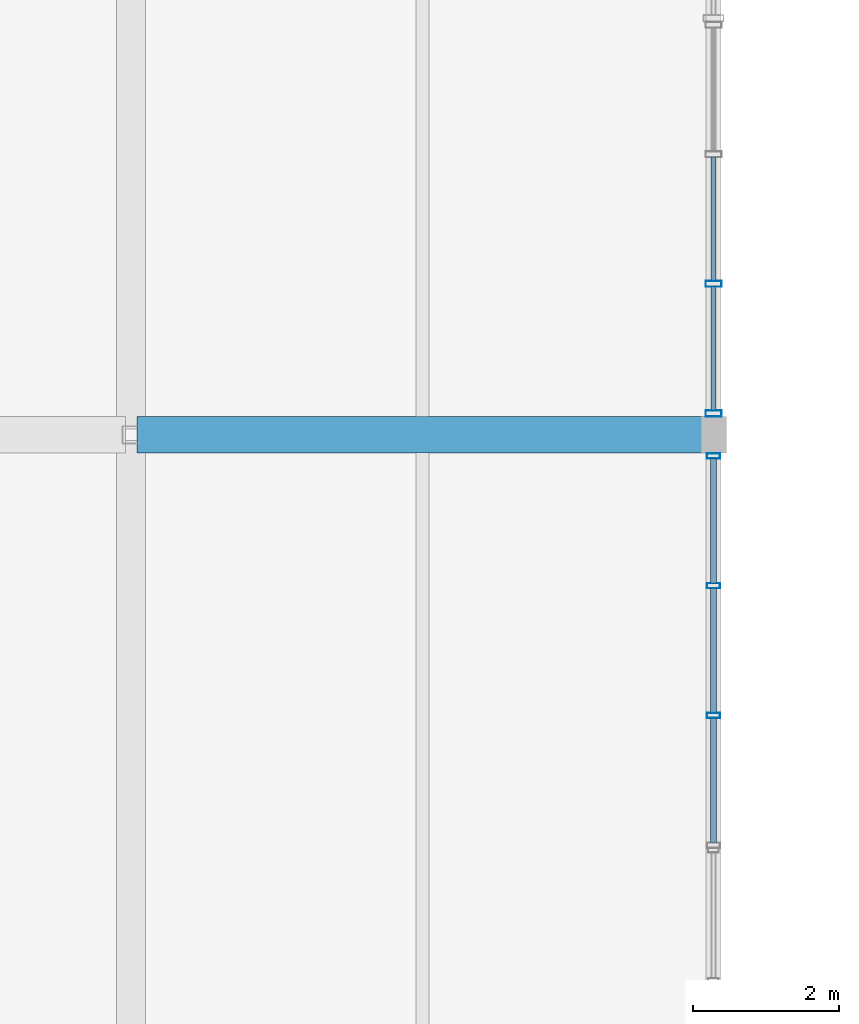
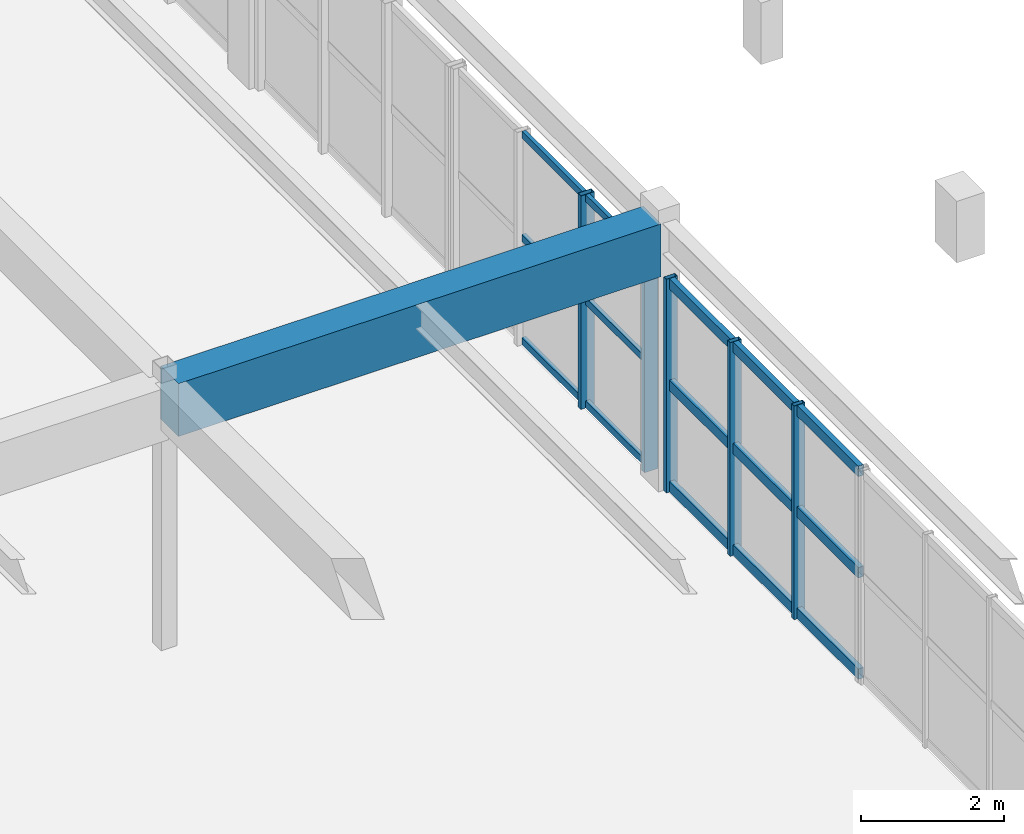
# One storey, part 45 of 106: 20 members, 1 beam, 2 elements without a shape of their own.
"""IFC4 building model written with IfcOpenShell, lengths in metres."""

import ifcopenshell
import ifcopenshell.guid

model = None  # the IFC model being written
_history = None  # IfcOwnerHistory: only IFC2X3 demands one
_inside = {}  # id of a spatial element -> (the spatial element, [elements in it])
_under = {}  # id of a project, library or spatial element -> (it, [spatial elements below it])
_declared = {}  # id of a project -> (the project, [libraries it declares])
_typed = {}  # id of a type object -> (the type object, [elements of that type])
_made_of = {}  # id of a material, layer set ... -> (it, [elements and type objects made of it])


def new_model(schema):
    """Start an empty IFC model of exactly this schema.

    Asked for "IFC4X3", IfcOpenShell would pick the latest addendum, in which some entities
    have other attributes; the version numbers below select the first issue.
    IFC2X3 requires an IfcOwnerHistory on every rooted entity: one is made here for all.
    """
    global model, _history
    if schema == "IFC4X3":
        model = ifcopenshell.file(schema_version=(4, 3, 0, 0))
    else:
        model = ifcopenshell.file(schema=schema)
    _inside.clear()
    _under.clear()
    _declared.clear()
    _typed.clear()
    _made_of.clear()
    _history = None
    if model.schema == "IFC2X3":
        org = make("IfcOrganization", Name="unknown")
        user = make(
            "IfcPersonAndOrganization",
            ThePerson=make("IfcPerson", FamilyName="unknown"),
            TheOrganization=org,
        )
        app = make(
            "IfcApplication",
            ApplicationDeveloper=org,
            Version="unknown",
            ApplicationFullName="unknown",
            ApplicationIdentifier="unknown",
        )
        _history = make(
            "IfcOwnerHistory",
            OwningUser=user,
            OwningApplication=app,
            ChangeAction="ADDED",
            CreationDate=0,
        )
    return model


def make(cls, **values):
    """One entity of the class cls with the attributes given. An attribute that is None is left unset."""
    return model.create_entity(
        cls, **{name: value for name, value in values.items() if value is not None}
    )


def rooted(cls, **values):
    """An entity with a GlobalId (a new one), such as an element, a storey or a relation."""
    return make(cls, GlobalId=ifcopenshell.guid.new(), OwnerHistory=_history, **values)


def si_unit(unit_type, name, prefix=None):
    """IfcSIUnit, for example si_unit("LENGTHUNIT", "METRE", prefix="MILLI")."""
    return make("IfcSIUnit", UnitType=unit_type, Prefix=prefix, Name=name)


def assignment(units):
    """IfcUnitAssignment: the units of a project."""
    return None if units is None else make("IfcUnitAssignment", Units=units)


def point(xyz):
    """IfcCartesianPoint."""
    return None if xyz is None else make("IfcCartesianPoint", Coordinates=xyz)


def direction(xyz):
    """IfcDirection."""
    return None if xyz is None else make("IfcDirection", DirectionRatios=xyz)


def frame(location, z_axis=None, x_axis=None):
    """IfcAxis2Placement3D, a coordinate frame: its origin and axes. An axis left out is left unset."""
    return make(
        "IfcAxis2Placement3D",
        Location=point(location),
        Axis=direction(z_axis),
        RefDirection=direction(x_axis),
    )


def frame_2d(location, x_axis=None):
    """IfcAxis2Placement2D, a coordinate frame in the plane: its origin and x axis."""
    return make(
        "IfcAxis2Placement2D", Location=point(location), RefDirection=direction(x_axis)
    )


def origin():
    """The frame at (0, 0, 0) with its axes left unset."""
    return frame((0.0, 0.0, 0.0))


def origin_2d():
    """The frame at (0, 0) in the plane with its x axis left unset."""
    return frame_2d((0.0, 0.0))


def place(relative_to, where):
    """IfcLocalPlacement: puts the frame where relative to a parent placement (None: the world)."""
    return make(
        "IfcLocalPlacement", PlacementRelTo=relative_to, RelativePlacement=where
    )


def context(
    kind, dimensions, precision=None, world=None, true_north=None, identifier=None
):
    """IfcGeometricRepresentationContext, for example the 3D "Model" context."""
    return make(
        "IfcGeometricRepresentationContext",
        ContextIdentifier=identifier,
        ContextType=kind,
        CoordinateSpaceDimension=dimensions,
        Precision=precision,
        WorldCoordinateSystem=world,
        TrueNorth=true_north,
    )


def subcontext(parent, identifier, kind, view, scale=None):
    """IfcGeometricRepresentationSubContext, for example "Body" below "Model"."""
    return make(
        "IfcGeometricRepresentationSubContext",
        ContextIdentifier=identifier,
        ContextType=kind,
        ParentContext=parent,
        TargetScale=scale,
        TargetView=view,
    )


def project(units=None, contexts=None):
    """IfcProject with its units and contexts."""
    return rooted(
        "IfcProject",
        Name="project",
        RepresentationContexts=contexts,
        UnitsInContext=assignment(units),
    )


def spatial(cls, under=None, at=None, **own):
    """A site, building, storey or space (cls), placed at a placement, below another one or the project."""
    s = rooted(cls, ObjectPlacement=at, **own)
    if under is not None:
        _under.setdefault(under.id(), (under, []))[1].append(s)
    return s


def profile(cls, at=None, kind="AREA", **sizes):
    """A parametric profile (cls). Its sizes go by their IFC names, for example OverallWidth=200.0."""
    return make(cls, ProfileType=kind, Position=at, **sizes)


def rectangle(**sizes):
    """IfcRectangleProfileDef."""
    return profile("IfcRectangleProfileDef", **sizes)


def hollow_rectangle(**sizes):
    """IfcRectangleHollowProfileDef."""
    return profile("IfcRectangleHollowProfileDef", **sizes)


def extrude(swept, where, along, depth):
    """IfcExtrudedAreaSolid: the profile swept, set in the frame where, extruded along a direction by depth."""
    return make(
        "IfcExtrudedAreaSolid",
        SweptArea=swept,
        Position=where,
        ExtrudedDirection=direction(along),
        Depth=depth,
    )


def shape(context_of_items, identifier, shape_type, items):
    """IfcShapeRepresentation: the items that make up one representation, for example the "Body"."""
    return make(
        "IfcShapeRepresentation",
        ContextOfItems=context_of_items,
        RepresentationIdentifier=identifier,
        RepresentationType=shape_type,
        Items=items,
    )


def material(Name=None, Category=None):
    """IfcMaterial."""
    return make("IfcMaterial", Name=Name, Category=Category)


def layer(
    of_material, thickness, ventilated=None, Name=None, Category=None, Priority=None
):
    """IfcMaterialLayer: one layer of a wall or slab, of a material (None: an air gap)."""
    return make(
        "IfcMaterialLayer",
        Material=of_material,
        LayerThickness=thickness,
        IsVentilated=ventilated,
        Name=Name,
        Category=Category,
        Priority=Priority,
    )


def layer_set(layers, Name=None):
    """IfcMaterialLayerSet."""
    return make("IfcMaterialLayerSet", MaterialLayers=layers, LayerSetName=Name)


def material_profile(
    of_material, cross_section, Name=None, Category=None, Priority=None
):
    """IfcMaterialProfile: a cross section and its material."""
    return make(
        "IfcMaterialProfile",
        Name=Name,
        Material=of_material,
        Profile=cross_section,
        Priority=Priority,
        Category=Category,
    )


def profile_set(profiles, Name=None, composite=None):
    """IfcMaterialProfileSet."""
    return make(
        "IfcMaterialProfileSet",
        Name=Name,
        MaterialProfiles=profiles,
        CompositeProfile=composite,
    )


def made_of(thing, what):
    """Note that an element or type object is made of a material, layer set ...; save() writes the relation."""
    if what is not None:
        _made_of.setdefault(what.id(), (what, []))[1].append(thing)
    return thing


def type_object(cls, material=None, **own):
    """A type object (cls), such as IfcWallType, which elements share."""
    return made_of(rooted(cls, **own), material)


def element(
    cls,
    number,
    at=None,
    inside=None,
    cuts=None,
    type_object=None,
    material=None,
    context=None,
    identifier="Body",
    shape_type=None,
    held_by="IfcProductDefinitionShape",
    body=None,
    shapes=None,
    **own,
):
    """One element of the class cls, such as IfcWall. Its Tag is "e" and its number.

    at: its placement. inside: the storey or other place that contains it. cuts: it is an
    opening in that element (IfcRelVoidsElement). A single representation is given by context,
    identifier, shape_type and body (its items); several are given by shapes. held_by: the class
    of the entity that holds the representations. save() writes the other relations.
    """
    e = rooted(cls, Tag="e%d" % number, ObjectPlacement=at, **own)
    if body is not None:
        shapes = [shape(context, identifier, shape_type, body)]
    if shapes is not None:
        e.Representation = make(held_by, Representations=shapes)
    if inside is not None:
        _inside.setdefault(inside.id(), (inside, []))[1].append(e)
    if cuts is not None:
        rooted(
            "IfcRelVoidsElement", RelatingBuildingElement=cuts, RelatedOpeningElement=e
        )
    if type_object is not None:
        _typed.setdefault(type_object.id(), (type_object, []))[1].append(e)
    return made_of(e, material)


def aggregate(whole, parts):
    """IfcRelAggregates: a whole, such as a stair, and the parts it consists of."""
    return rooted("IfcRelAggregates", RelatingObject=whole, RelatedObjects=parts)


def save(model, path):
    """Write the relations noted so far, then the file.

    IfcRelAggregates (storeys below a building ...), IfcRelContainedInSpatialStructure (elements
    in a storey), IfcRelDefinesByType, IfcRelAssociatesMaterial and IfcRelDeclares: one each for
    every whole, place, type object, material and project.
    """
    for whole, parts in _under.values():
        aggregate(whole, parts)
    for where, things in _inside.values():
        rooted(
            "IfcRelContainedInSpatialStructure",
            RelatedElements=things,
            RelatingStructure=where,
        )
    for kind, things in _typed.values():
        rooted("IfcRelDefinesByType", RelatedObjects=things, RelatingType=kind)
    for what, things in _made_of.values():
        rooted("IfcRelAssociatesMaterial", RelatedObjects=things, RelatingMaterial=what)
    for by, libraries in _declared.values():
        rooted("IfcRelDeclares", RelatingContext=by, RelatedDefinitions=libraries)
    model.write(path)


model = new_model("IFC4")

# Units and contexts
model_context = context("Model", 3, precision=1e-05, world=origin(), true_north=direction((0.0, 1.0)))
body_context = subcontext(model_context, "Body", "Model", "MODEL_VIEW")
ifc_project = project(units=[si_unit("LENGTHUNIT", "METRE"), si_unit("AREAUNIT", "SQUARE_METRE"), si_unit("VOLUMEUNIT", "CUBIC_METRE"), si_unit("PLANEANGLEUNIT", "RADIAN"), si_unit("MASSUNIT", "GRAM", prefix="KILO"), si_unit("POWERUNIT", "WATT"), si_unit("THERMODYNAMICTEMPERATUREUNIT", "KELVIN")], contexts=[model_context])

# Site, building, storey
site_placement = place(None, origin())
site = spatial("IfcSite", under=ifc_project, at=site_placement, CompositionType="ELEMENT")
building_placement = place(site_placement, origin())
building = spatial("IfcBuilding", under=site, at=building_placement, Name="Kelmbourne Parkland Aquatics Centre", CompositionType="ELEMENT")
storey_placement = place(building_placement, frame((0.0, 0.0, 5.39990234375)))
storey = spatial("IfcBuildingStorey", under=building, at=storey_placement, Name="L01", CompositionType="ELEMENT", Elevation=5.39990234375)

# Beam
ifc_material_1 = material(Name="Concrete C40/50", Category="concrete")
ifc_material_profile_1 = material_profile(ifc_material_1, rectangle(XDim=0.5, YDim=0.89990234375, at=origin_2d()), Name="RC 500x900")
ifc_profile_set_1 = profile_set([ifc_material_profile_1], Name="Concrete C40/50")
beam_type = type_object("IfcBeamType", Name="BM-G03", PredefinedType="BEAM", material=ifc_profile_set_1)
beam_placement = place(storey_placement, frame((32.080078125, 69.199951171875, 4.110107421875), z_axis=(1.0, 0.0, 0.0), x_axis=(0.0, 1.0, 0.0)))
element("IfcBeam", 1, at=beam_placement, inside=storey, type_object=beam_type, Name="Primary girder E-F Grid 10 (L02)", PredefinedType="BEAM", context=body_context, shape_type="SweptSolid", body=[
    extrude(rectangle(XDim=0.5, YDim=0.89990234375, at=origin_2d()), origin(), (0.0, 0.0, 1.0), 7.7900390625),
])

# Curtain wall, members
ifc_material_2 = material(Name="Thermally broken anodised aluminium framing", Category="aluminium")
ifc_layer_1 = layer(ifc_material_2, 0.179931640625)
ifc_layer_set_1 = layer_set([ifc_layer_1], Name="Thermally broken anodised aluminium framing")
curtain_wall_type_1 = type_object("IfcCurtainWallType", Name="CW-20", PredefinedType="NOTDEFINED", material=ifc_layer_set_1)
curtain_wall_1_placement = place(storey_placement, origin())
curtain_wall_1 = element("IfcCurtainWall", 2, at=curtain_wall_1_placement, inside=storey, type_object=curtain_wall_type_1, Name="Facade curtain wall CW-L01-236", PredefinedType="NOTDEFINED")
ifc_material_profile_2 = material_profile(ifc_material_2, hollow_rectangle(XDim=0.074951171875, YDim=0.179931640625, WallThickness=0.00439453125, at=origin_2d()), Name="CW-M 75x180")
ifc_profile_set_2 = profile_set([ifc_material_profile_2], Name="Thermally broken anodised aluminium framing")
member_type_1 = type_object("IfcMemberType", Name="MB-MUL-2", PredefinedType="MULLION", material=ifc_profile_set_2)
member_1_placement = place(storey_placement, frame((40.0, 65.34521484375, 0.0), z_axis=(0.0, 0.0, 1.0), x_axis=(0.0, 1.0, 0.0)))
member_1 = element("IfcMember", 3, at=member_1_placement, type_object=member_type_1, Name="CW-L01-236 mullion 1", PredefinedType="MULLION", context=body_context, shape_type="SweptSolid", body=[
    extrude(hollow_rectangle(XDim=0.074951171875, YDim=0.179931640625, WallThickness=0.00439453125, at=origin_2d()), origin(), (0.0, 0.0, 1.0), 3.64501953125),
])
member_2_placement = place(storey_placement, frame((40.0, 67.127685546875, 0.0), z_axis=(0.0, 0.0, 1.0), x_axis=(0.0, 1.0, 0.0)))
member_2 = element("IfcMember", 4, at=member_2_placement, type_object=member_type_1, Name="CW-L01-236 mullion 2", PredefinedType="MULLION", context=body_context, shape_type="SweptSolid", body=[
    extrude(hollow_rectangle(XDim=0.074951171875, YDim=0.179931640625, WallThickness=0.00439453125, at=origin_2d()), origin(), (0.0, 0.0, 1.0), 3.64501953125),
])
member_3_placement = place(storey_placement, frame((40.0, 68.910400390625, 0.0), z_axis=(0.0, 0.0, 1.0), x_axis=(0.0, 1.0, 0.0)))
member_3 = element("IfcMember", 5, at=member_3_placement, type_object=member_type_1, Name="CW-L01-236 mullion 3", PredefinedType="MULLION", context=body_context, shape_type="SweptSolid", body=[
    extrude(hollow_rectangle(XDim=0.074951171875, YDim=0.179931640625, WallThickness=0.00439453125, at=origin_2d()), origin(), (0.0, 0.0, 1.0), 3.64501953125),
])

ifc_layer_2 = layer(ifc_material_2, 0.179931640625)
ifc_layer_set_2 = layer_set([ifc_layer_2], Name="Thermally broken anodised aluminium framing")
curtain_wall_type_2 = type_object("IfcCurtainWallType", Name="CW-21", PredefinedType="NOTDEFINED", material=ifc_layer_set_2)
curtain_wall_2_placement = place(storey_placement, origin())
curtain_wall_2 = element("IfcCurtainWall", 6, at=curtain_wall_2_placement, inside=storey, type_object=curtain_wall_type_2, Name="Facade curtain wall CW-L01-237", PredefinedType="NOTDEFINED")
ifc_material_profile_3 = material_profile(ifc_material_2, hollow_rectangle(XDim=0.0849609375, YDim=0.219970703125, WallThickness=0.0048828125, at=origin_2d()), Name="CW-M 85x220")
ifc_profile_set_3 = profile_set([ifc_material_profile_3], Name="Thermally broken anodised aluminium framing")
member_type_2 = type_object("IfcMemberType", Name="MB-MUL-3", PredefinedType="MULLION", material=ifc_profile_set_3)
member_4_placement = place(storey_placement, frame((40.0, 69.494384765625, 0.0), z_axis=(0.0, 0.0, 1.0), x_axis=(0.0, 1.0, 0.0)))
member_4 = element("IfcMember", 7, at=member_4_placement, type_object=member_type_2, Name="CW-L01-237 mullion 0", PredefinedType="MULLION", context=body_context, shape_type="SweptSolid", body=[
    extrude(hollow_rectangle(XDim=0.0849609375, YDim=0.219970703125, WallThickness=0.0048828125, at=origin_2d()), origin(), (0.0, 0.0, 1.0), 3.64501953125),
])
member_5_placement = place(storey_placement, frame((40.0, 71.273681640625, 0.0), z_axis=(0.0, 0.0, 1.0), x_axis=(0.0, 1.0, 0.0)))
member_5 = element("IfcMember", 8, at=member_5_placement, type_object=member_type_2, Name="CW-L01-237 mullion 1", PredefinedType="MULLION", context=body_context, shape_type="SweptSolid", body=[
    extrude(hollow_rectangle(XDim=0.0849609375, YDim=0.219970703125, WallThickness=0.0048828125, at=origin_2d()), origin(), (0.0, 0.0, 1.0), 3.64501953125),
])
ifc_material_profile_4 = material_profile(ifc_material_2, hollow_rectangle(XDim=0.06494140625, YDim=0.1201171875, WallThickness=0.00341796875, at=origin_2d()), Name="CW-T 65x120")
ifc_profile_set_4 = profile_set([ifc_material_profile_4], Name="Thermally broken anodised aluminium framing")
member_type_3 = type_object("IfcMemberType", Name="MB-TRN-1", PredefinedType="USERDEFINED", material=ifc_profile_set_4)
member_6_placement = place(storey_placement, frame((40.0, 69.532958984375, 0.06298828125), z_axis=(0.0, 1.0, 0.0), x_axis=(-1.0, 0.0, 0.0)))
member_6 = element("IfcMember", 9, at=member_6_placement, type_object=member_type_3, Name="CW-L01-237 transom 0-0", ObjectType="TRANSOM", PredefinedType="USERDEFINED", context=body_context, shape_type="SweptSolid", body=[
    extrude(hollow_rectangle(XDim=0.06494140625, YDim=0.1201171875, WallThickness=0.00341796875, at=origin_2d()), origin(), (0.0, 0.0, 1.0), 1.702392578125),
])
member_7_placement = place(storey_placement, frame((40.0, 71.312255859375, 0.06298828125), z_axis=(0.0, 1.0, 0.0), x_axis=(-1.0, 0.0, 0.0)))
member_7 = element("IfcMember", 10, at=member_7_placement, type_object=member_type_3, Name="CW-L01-237 transom 0-1", ObjectType="TRANSOM", PredefinedType="USERDEFINED", context=body_context, shape_type="SweptSolid", body=[
    extrude(hollow_rectangle(XDim=0.06494140625, YDim=0.1201171875, WallThickness=0.00341796875, at=origin_2d()), origin(), (0.0, 0.0, 1.0), 1.702392578125),
])
member_8_placement = place(storey_placement, frame((40.0, 69.532958984375, 1.822509765625), z_axis=(0.0, 1.0, 0.0), x_axis=(-1.0, 0.0, 0.0)))
member_8 = element("IfcMember", 11, at=member_8_placement, type_object=member_type_3, Name="CW-L01-237 transom 1-0", ObjectType="TRANSOM", PredefinedType="USERDEFINED", context=body_context, shape_type="SweptSolid", body=[
    extrude(hollow_rectangle(XDim=0.06494140625, YDim=0.1201171875, WallThickness=0.00341796875, at=origin_2d()), origin(), (0.0, 0.0, 1.0), 1.702392578125),
])
member_9_placement = place(storey_placement, frame((40.0, 71.312255859375, 1.822509765625), z_axis=(0.0, 1.0, 0.0), x_axis=(-1.0, 0.0, 0.0)))
member_9 = element("IfcMember", 12, at=member_9_placement, type_object=member_type_3, Name="CW-L01-237 transom 1-1", ObjectType="TRANSOM", PredefinedType="USERDEFINED", context=body_context, shape_type="SweptSolid", body=[
    extrude(hollow_rectangle(XDim=0.06494140625, YDim=0.1201171875, WallThickness=0.00341796875, at=origin_2d()), origin(), (0.0, 0.0, 1.0), 1.702392578125),
])
member_10_placement = place(storey_placement, frame((40.0, 69.532958984375, 3.58203125), z_axis=(0.0, 1.0, 0.0), x_axis=(-1.0, 0.0, 0.0)))
member_10 = element("IfcMember", 13, at=member_10_placement, type_object=member_type_3, Name="CW-L01-237 transom 2-0", ObjectType="TRANSOM", PredefinedType="USERDEFINED", context=body_context, shape_type="SweptSolid", body=[
    extrude(hollow_rectangle(XDim=0.06494140625, YDim=0.1201171875, WallThickness=0.00341796875, at=origin_2d()), origin(), (0.0, 0.0, 1.0), 1.702392578125),
])
member_11_placement = place(storey_placement, frame((40.0, 71.312255859375, 3.58203125), z_axis=(0.0, 1.0, 0.0), x_axis=(-1.0, 0.0, 0.0)))
member_11 = element("IfcMember", 14, at=member_11_placement, type_object=member_type_3, Name="CW-L01-237 transom 2-1", ObjectType="TRANSOM", PredefinedType="USERDEFINED", context=body_context, shape_type="SweptSolid", body=[
    extrude(hollow_rectangle(XDim=0.06494140625, YDim=0.1201171875, WallThickness=0.00341796875, at=origin_2d()), origin(), (0.0, 0.0, 1.0), 1.702392578125),
])
aggregate(curtain_wall_2, [member_4, member_5, member_6, member_7, member_8, member_9, member_10, member_11])

# Member
ifc_material_profile_5 = material_profile(ifc_material_2, hollow_rectangle(XDim=0.0849609375, YDim=0.179931640625, WallThickness=0.00439453125, at=origin_2d()), Name="CW-T 85x180")
ifc_profile_set_5 = profile_set([ifc_material_profile_5], Name="Thermally broken anodised aluminium framing")
member_type_4 = type_object("IfcMemberType", Name="MB-TRN-3", PredefinedType="USERDEFINED", material=ifc_profile_set_5)
member_12_placement = place(storey_placement, frame((40.0, 63.595947265625, 0.093017578125), z_axis=(0.0, 1.0, 0.0), x_axis=(-1.0, 0.0, 0.0)))
member_12 = element("IfcMember", 15, at=member_12_placement, type_object=member_type_4, Name="CW-L01-236 transom 0-0", ObjectType="TRANSOM", PredefinedType="USERDEFINED", context=body_context, shape_type="SweptSolid", body=[
    extrude(hollow_rectangle(XDim=0.0849609375, YDim=0.179931640625, WallThickness=0.00439453125, at=origin_2d()), origin(), (0.0, 0.0, 1.0), 1.7158203125),
])

member_13_placement = place(storey_placement, frame((40.0, 65.378662109375, 0.093017578125), z_axis=(0.0, 1.0, 0.0), x_axis=(-1.0, 0.0, 0.0)))
member_13 = element("IfcMember", 16, at=member_13_placement, type_object=member_type_4, Name="CW-L01-236 transom 0-1", ObjectType="TRANSOM", PredefinedType="USERDEFINED", context=body_context, shape_type="SweptSolid", body=[
    extrude(hollow_rectangle(XDim=0.0849609375, YDim=0.179931640625, WallThickness=0.00439453125, at=origin_2d()), origin(), (0.0, 0.0, 1.0), 1.715576171875),
])

member_14_placement = place(storey_placement, frame((40.0, 67.161376953125, 0.093017578125), z_axis=(0.0, 1.0, 0.0), x_axis=(-1.0, 0.0, 0.0)))
member_14 = element("IfcMember", 17, at=member_14_placement, type_object=member_type_4, Name="CW-L01-236 transom 0-2", ObjectType="TRANSOM", PredefinedType="USERDEFINED", context=body_context, shape_type="SweptSolid", body=[
    extrude(hollow_rectangle(XDim=0.0849609375, YDim=0.179931640625, WallThickness=0.00439453125, at=origin_2d()), origin(), (0.0, 0.0, 1.0), 1.715576171875),
])

member_15_placement = place(storey_placement, frame((40.0, 63.595947265625, 1.822509765625), z_axis=(0.0, 1.0, 0.0), x_axis=(-1.0, 0.0, 0.0)))
member_15 = element("IfcMember", 18, at=member_15_placement, type_object=member_type_4, Name="CW-L01-236 transom 1-0", ObjectType="TRANSOM", PredefinedType="USERDEFINED", context=body_context, shape_type="SweptSolid", body=[
    extrude(hollow_rectangle(XDim=0.0849609375, YDim=0.179931640625, WallThickness=0.00439453125, at=origin_2d()), origin(), (0.0, 0.0, 1.0), 1.7158203125),
])

member_16_placement = place(storey_placement, frame((40.0, 65.378662109375, 1.822509765625), z_axis=(0.0, 1.0, 0.0), x_axis=(-1.0, 0.0, 0.0)))
member_16 = element("IfcMember", 19, at=member_16_placement, type_object=member_type_4, Name="CW-L01-236 transom 1-1", ObjectType="TRANSOM", PredefinedType="USERDEFINED", context=body_context, shape_type="SweptSolid", body=[
    extrude(hollow_rectangle(XDim=0.0849609375, YDim=0.179931640625, WallThickness=0.00439453125, at=origin_2d()), origin(), (0.0, 0.0, 1.0), 1.715576171875),
])

member_17_placement = place(storey_placement, frame((40.0, 67.161376953125, 1.822509765625), z_axis=(0.0, 1.0, 0.0), x_axis=(-1.0, 0.0, 0.0)))
member_17 = element("IfcMember", 20, at=member_17_placement, type_object=member_type_4, Name="CW-L01-236 transom 1-2", ObjectType="TRANSOM", PredefinedType="USERDEFINED", context=body_context, shape_type="SweptSolid", body=[
    extrude(hollow_rectangle(XDim=0.0849609375, YDim=0.179931640625, WallThickness=0.00439453125, at=origin_2d()), origin(), (0.0, 0.0, 1.0), 1.715576171875),
])

member_18_placement = place(storey_placement, frame((40.0, 63.595947265625, 3.552001953125), z_axis=(0.0, 1.0, 0.0), x_axis=(-1.0, 0.0, 0.0)))
member_18 = element("IfcMember", 21, at=member_18_placement, type_object=member_type_4, Name="CW-L01-236 transom 2-0", ObjectType="TRANSOM", PredefinedType="USERDEFINED", context=body_context, shape_type="SweptSolid", body=[
    extrude(hollow_rectangle(XDim=0.0849609375, YDim=0.179931640625, WallThickness=0.00439453125, at=origin_2d()), origin(), (0.0, 0.0, 1.0), 1.7158203125),
])

member_19_placement = place(storey_placement, frame((40.0, 65.378662109375, 3.552001953125), z_axis=(0.0, 1.0, 0.0), x_axis=(-1.0, 0.0, 0.0)))
member_19 = element("IfcMember", 22, at=member_19_placement, type_object=member_type_4, Name="CW-L01-236 transom 2-1", ObjectType="TRANSOM", PredefinedType="USERDEFINED", context=body_context, shape_type="SweptSolid", body=[
    extrude(hollow_rectangle(XDim=0.0849609375, YDim=0.179931640625, WallThickness=0.00439453125, at=origin_2d()), origin(), (0.0, 0.0, 1.0), 1.715576171875),
])

member_20_placement = place(storey_placement, frame((40.0, 67.161376953125, 3.552001953125), z_axis=(0.0, 1.0, 0.0), x_axis=(-1.0, 0.0, 0.0)))
member_20 = element("IfcMember", 23, at=member_20_placement, type_object=member_type_4, Name="CW-L01-236 transom 2-2", ObjectType="TRANSOM", PredefinedType="USERDEFINED", context=body_context, shape_type="SweptSolid", body=[
    extrude(hollow_rectangle(XDim=0.0849609375, YDim=0.179931640625, WallThickness=0.00439453125, at=origin_2d()), origin(), (0.0, 0.0, 1.0), 1.715576171875),
])

aggregate(curtain_wall_1, [member_1, member_2, member_3, member_12, member_13, member_14, member_15, member_16, member_17, member_18, member_19, member_20])

save(model, "model.ifc")
